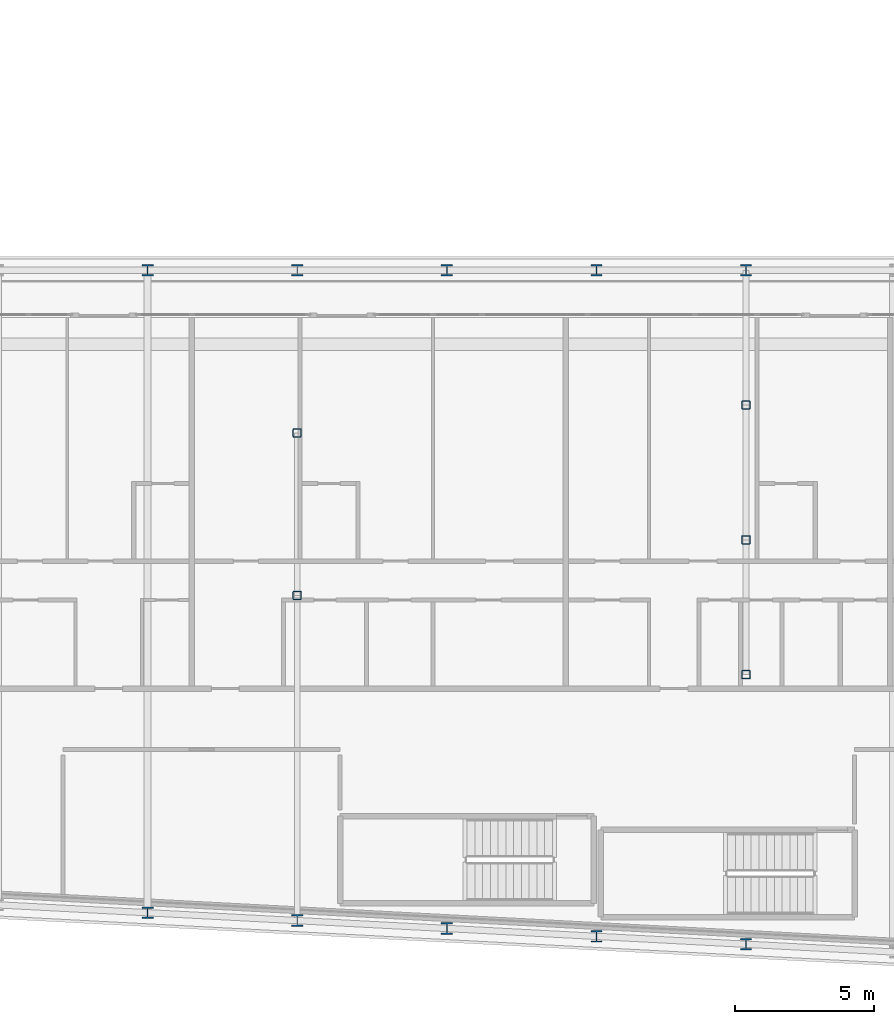
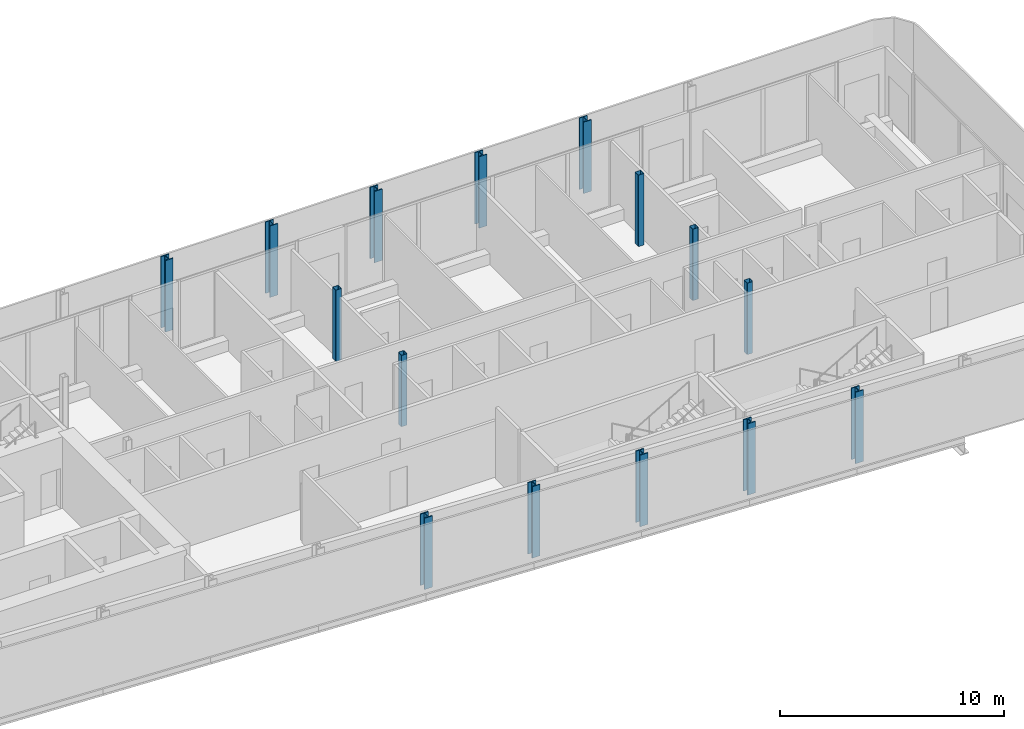
# One storey, part 2 of 28: 15 columns.
"""IFC4 building model written with IfcOpenShell, lengths in metres."""

from ifc_helpers import new_model, si_unit, direction, frame, origin, origin_2d, place, context, subcontext, project, spatial, hollow_rectangle, i_section, extrude, material, material_profile, profile_set, type_object, element, save


model = new_model("IFC4")

# Units and contexts
model_context = context("Model", 3, precision=1e-05, world=origin(), true_north=direction((0.0, 1.0)))
body_context = subcontext(model_context, "Body", "Model", "MODEL_VIEW")
ifc_project = project(units=[si_unit("LENGTHUNIT", "METRE"), si_unit("AREAUNIT", "SQUARE_METRE"), si_unit("VOLUMEUNIT", "CUBIC_METRE"), si_unit("PLANEANGLEUNIT", "RADIAN"), si_unit("MASSUNIT", "GRAM", prefix="KILO")], contexts=[model_context])

# Site, building, storey
site_placement = place(None, origin())
site = spatial("IfcSite", under=ifc_project, at=site_placement, CompositionType="ELEMENT")
building_placement = place(site_placement, origin())
building = spatial("IfcBuilding", under=site, at=building_placement, Name="Kheshtan School and Residences Tower", CompositionType="ELEMENT")
storey_placement = place(building_placement, frame((0.0, 0.0, 191.60009765625)))
storey = spatial("IfcBuildingStorey", under=building, at=storey_placement, Name="L45", CompositionType="ELEMENT", Elevation=191.60009765625)

# Columns
ifc_material_1 = material(Name="Steel ASTM A992 Grade 50", Category="steel")
ifc_material_profile_1 = material_profile(ifc_material_1, i_section(OverallWidth=0.408935546875, OverallDepth=0.425048828125, WebThickness=0.03271484375, FlangeThickness=0.052490234375, FilletRadius=0.0126953125, at=origin_2d()), Name="W360x421")
ifc_profile_set_1 = profile_set([ifc_material_profile_1], Name="Steel ASTM A992 Grade 50")
column_type_1 = type_object("IfcColumnType", Name="Column C3 W360x421 ASTM A992 Grade 50", PredefinedType="COLUMN", material=ifc_profile_set_1)
for number, where, z_axis, x_axis, name in (
    (1, (85.39990234375, 21.27392578125, 0.0), (0.0, 0.0, 1.0), (1.0, 0.0, 0.0), "Column C008"),
    (2, (80.0, 21.55810546875, 0.0), (0.0, 0.0, 1.0), (1.0, 0.0, 0.0), "Column C012"),
    (3, (74.60009765625, 21.843017578125, 0.0), (0.0, 0.0, 1.0), (1.0, 0.0, 0.0), "Column C013"),
    (4, (69.199951171875, 22.126953125, 0.0), (0.0, 0.0, 1.0), (1.0, 0.0, 0.0), "Column C014"),
    (5, (63.800048828125, 22.410888671875, 0.0), (0.0, 0.0, 1.0), (1.0, 0.0, 0.0), "Column C016"),
    (6, (63.800048828125, 45.60009765625, 0.0), (0.0, 0.0, 1.0), (1.0, 0.0, 0.0), "Column C063"),
    (7, (69.199951171875, 45.60009765625, 0.0), (0.0, 0.0, 1.0), (1.0, 0.0, 0.0), "Column C064"),
    (8, (74.60009765625, 45.60009765625, 0.0), (0.0, 0.0, 1.0), (1.0, 0.0, 0.0), "Column C065"),
    (9, (80.0, 45.60009765625, 0.0), (0.0, 0.0, 1.0), (1.0, 0.0, 0.0), "Column C066"),
    (10, (85.39990234375, 45.60009765625, 0.0), (0.0, 0.0, 1.0), (1.0, 0.0, 0.0), "Column C067"),
):
    element("IfcColumn", number, at=place(storey_placement, frame(where, z_axis=z_axis, x_axis=x_axis)), inside=storey, type_object=column_type_1, Name=name, PredefinedType="COLUMN", context=body_context, shape_type="SweptSolid", body=[
        extrude(i_section(OverallWidth=0.408935546875, OverallDepth=0.425048828125, WebThickness=0.03271484375, FlangeThickness=0.052490234375, FilletRadius=0.0126953125, at=origin_2d()), origin(), (0.0, 0.0, 1.0), 3.89990234375),
    ])
ifc_material_2 = material(Name="Steel ASTM A500 Grade C", Category="steel")
ifc_material_profile_2 = material_profile(ifc_material_2, hollow_rectangle(XDim=0.304931640625, YDim=0.304931640625, WallThickness=0.015869140625, InnerFilletRadius=0.015869140625, OuterFilletRadius=0.03173828125, at=origin_2d()), Name="HSS 305x305x15.9")
ifc_profile_set_2 = profile_set([ifc_material_profile_2], Name="Steel ASTM A500 Grade C")
column_type_2 = type_object("IfcColumnType", Name="Column IC2 HSS 305x305x15.9 ASTM A500 Grade C", PredefinedType="COLUMN", material=ifc_profile_set_2)
for number, where, z_axis, x_axis, name in (
    (11, (85.39990234375, 31.0048828125, 0.0), (0.0, 0.0, 1.0), (1.0, 0.0, 0.0), "Column C049"),
    (12, (69.199951171875, 33.863037109375, 0.0), (0.0, 0.0, 1.0), (1.0, 0.0, 0.0), "Column C050"),
    (13, (85.39990234375, 35.8701171875, 0.0), (0.0, 0.0, 1.0), (1.0, 0.0, 0.0), "Column C053"),
    (14, (69.199951171875, 39.73193359375, 0.0), (0.0, 0.0, 1.0), (1.0, 0.0, 0.0), "Column C054"),
    (15, (85.39990234375, 40.735107421875, 0.0), (0.0, 0.0, 1.0), (1.0, 0.0, 0.0), "Column C057"),
):
    element("IfcColumn", number, at=place(storey_placement, frame(where, z_axis=z_axis, x_axis=x_axis)), inside=storey, type_object=column_type_2, Name=name, PredefinedType="COLUMN", context=body_context, shape_type="SweptSolid", body=[
        extrude(hollow_rectangle(XDim=0.304931640625, YDim=0.304931640625, WallThickness=0.015869140625, InnerFilletRadius=0.015869140625, OuterFilletRadius=0.03173828125, at=origin_2d()), origin(), (0.0, 0.0, 1.0), 3.89990234375),
    ])

save(model, "model.ifc")
